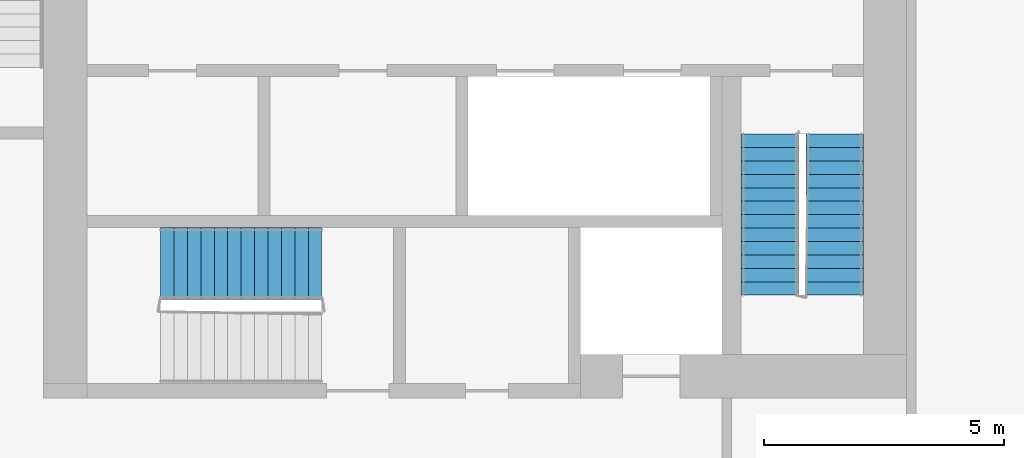
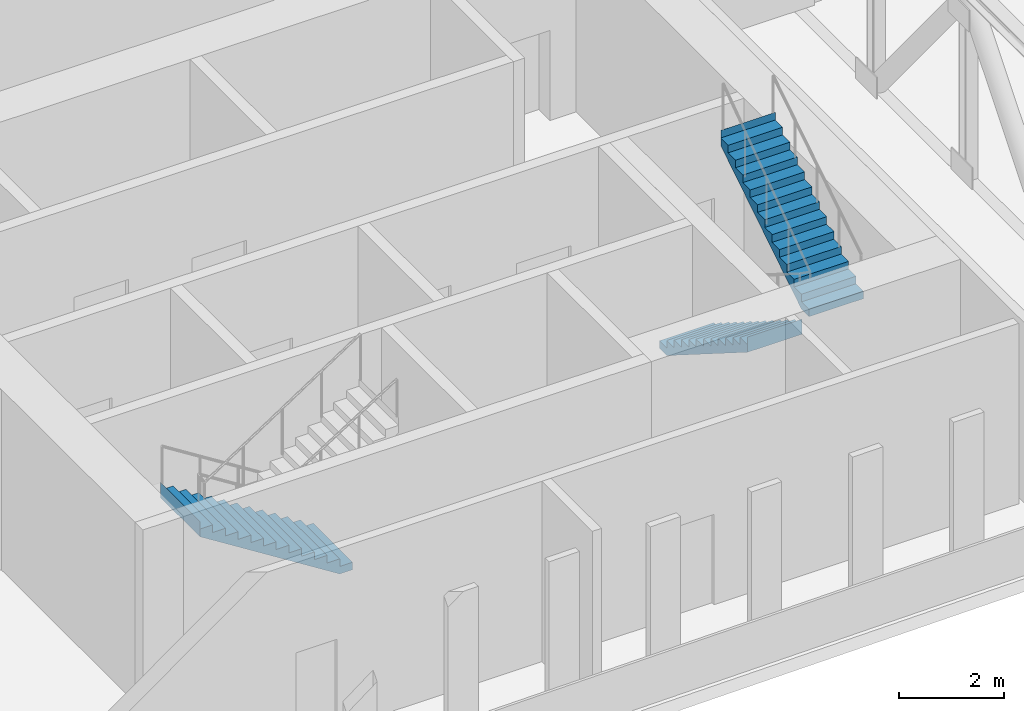
# One storey, part 22 of 26: 3 stair flights, 2 elements without a shape of their own.
"""IFC4 building model written with IfcOpenShell, lengths in metres."""

from ifc_helpers import new_model, si_unit, direction, frame, origin, place, context, subcontext, project, spatial, faceted_brep, material, type_object, element, aggregate, save


model = new_model("IFC4")

# Units and contexts
model_context = context("Model", 3, precision=1e-05, world=origin(), true_north=direction((0.0, 1.0)))
body_context = subcontext(model_context, "Body", "Model", "MODEL_VIEW")
ifc_project = project(units=[si_unit("LENGTHUNIT", "METRE"), si_unit("AREAUNIT", "SQUARE_METRE"), si_unit("VOLUMEUNIT", "CUBIC_METRE"), si_unit("PLANEANGLEUNIT", "RADIAN"), si_unit("MASSUNIT", "GRAM", prefix="KILO")], contexts=[model_context])

# Site, building, storey
site_placement = place(None, origin())
site = spatial("IfcSite", under=ifc_project, at=site_placement, CompositionType="ELEMENT")
building_placement = place(site_placement, origin())
building = spatial("IfcBuilding", under=site, at=building_placement, Name="Kajstack Hotel Tower", CompositionType="ELEMENT")
storey_placement = place(building_placement, frame((0.0, 0.0, 257.300048828125)))
storey = spatial("IfcBuildingStorey", under=building, at=storey_placement, Name="L64", CompositionType="ELEMENT", Elevation=257.300048828125)

# Stair, stair flights
ifc_material = material(Name="Concrete C40/50", Category="concrete")
stair_type_1 = type_object("IfcStairType", Name="Exit stair 1200", PredefinedType="HALF_TURN_STAIR", material=ifc_material)
stair_1_placement = place(storey_placement, origin())
stair_1 = element("IfcStair", 1, at=stair_1_placement, inside=storey, type_object=stair_type_1, Name="L64 stair W2", PredefinedType="HALF_TURN_STAIR")
stair_flight_type_1 = type_object("IfcStairFlightType", Name="Exit stair flight 1200", PredefinedType="STRAIGHT", material=ifc_material)
stair_flight_1_placement = place(storey_placement, frame((-16.35009765625, -10.0, 0.0), z_axis=(0.0, 0.0, 1.0), x_axis=(0.0, -1.0, 0.0)))
stair_flight_1 = element("IfcStairFlight", 2, at=stair_flight_1_placement, type_object=stair_flight_type_1, Name="W2 flight 1", NumberOfRisers=13, NumberOfTreads=12, PredefinedType="STRAIGHT", RiserHeight=0.176923077, TreadLength=0.28, context=body_context, shape_type="Brep", body=[
    faceted_brep([(0.281005859375, -0.60009765625, 0.0), (3.360595703125, -0.60009765625, 1.94580078125), (3.360595703125, -0.60009765625, 2.300048828125), (3.360107421875, -0.60009765625, 2.300048828125), (3.360107421875, -0.60009765625, 2.123046875), (3.080078125, -0.60009765625, 2.123046875), (3.080078125, -0.60009765625, 1.946044921875), (2.800048828125, -0.60009765625, 1.946044921875), (2.800048828125, -0.60009765625, 1.769287109375), (2.52001953125, -0.60009765625, 1.769287109375), (2.52001953125, -0.60009765625, 1.59228515625), (2.239990234375, -0.60009765625, 1.59228515625), (2.239990234375, -0.60009765625, 1.415283203125), (1.9599609375, -0.60009765625, 1.415283203125), (1.9599609375, -0.60009765625, 1.238525390625), (1.679931640625, -0.60009765625, 1.238525390625), (1.679931640625, -0.60009765625, 1.0615234375), (1.39990234375, -0.60009765625, 1.0615234375), (1.39990234375, -0.60009765625, 0.884521484375), (1.1201171875, -0.60009765625, 0.884521484375), (1.1201171875, -0.60009765625, 0.707763671875), (0.840087890625, -0.60009765625, 0.707763671875), (0.840087890625, -0.60009765625, 0.53076171875), (0.56005859375, -0.60009765625, 0.53076171875), (0.56005859375, -0.60009765625, 0.353759765625), (0.280029296875, -0.60009765625, 0.353759765625), (0.280029296875, -0.60009765625, 0.177001953125), (-0.00048828125, -0.60009765625, 0.177001953125), (-0.00048828125, -0.60009765625, 0.0), (-0.00048828125, 0.60009765625, 0.0), (-0.00048828125, 0.60009765625, 0.177001953125), (0.280029296875, 0.60009765625, 0.177001953125), (0.280029296875, 0.60009765625, 0.353759765625), (0.56005859375, 0.60009765625, 0.353759765625), (0.56005859375, 0.60009765625, 0.53076171875), (0.840087890625, 0.60009765625, 0.53076171875), (0.840087890625, 0.60009765625, 0.707763671875), (1.1201171875, 0.60009765625, 0.707763671875), (1.1201171875, 0.60009765625, 0.884521484375), (1.39990234375, 0.60009765625, 0.884521484375), (1.39990234375, 0.60009765625, 1.0615234375), (1.679931640625, 0.60009765625, 1.0615234375), (1.679931640625, 0.60009765625, 1.238525390625), (1.9599609375, 0.60009765625, 1.238525390625), (1.9599609375, 0.60009765625, 1.415283203125), (2.239990234375, 0.60009765625, 1.415283203125), (2.239990234375, 0.60009765625, 1.59228515625), (2.52001953125, 0.60009765625, 1.59228515625), (2.52001953125, 0.60009765625, 1.769287109375), (2.800048828125, 0.60009765625, 1.769287109375), (2.800048828125, 0.60009765625, 1.946044921875), (3.080078125, 0.60009765625, 1.946044921875), (3.080078125, 0.60009765625, 2.123046875), (3.360107421875, 0.60009765625, 2.123046875), (3.360107421875, 0.60009765625, 2.300048828125), (3.360595703125, 0.60009765625, 2.300048828125), (3.360595703125, 0.60009765625, 1.94580078125), (0.281005859375, 0.60009765625, 0.0), (-0.00048828125, -0.300048828125, 0.177001953125), (-0.00048828125, 0.0, 0.177001953125), (-0.00048828125, 0.300048828125, 0.177001953125), (-0.00048828125, 0.300048828125, 0.0), (-0.00048828125, 0.0, 0.0), (-0.00048828125, -0.300048828125, 0.0), (0.280029296875, -0.300048828125, 0.177001953125), (0.280029296875, 0.0, 0.177001953125), (0.280029296875, 0.300048828125, 0.177001953125), (0.280029296875, -0.300048828125, 0.353759765625), (0.280029296875, 0.0, 0.353759765625), (0.280029296875, 0.300048828125, 0.353759765625), (0.56005859375, -0.300048828125, 0.353759765625), (0.56005859375, 0.0, 0.353759765625), (0.56005859375, 0.300048828125, 0.353759765625), (0.56005859375, -0.300048828125, 0.53076171875), (0.56005859375, 0.0, 0.53076171875), (0.56005859375, 0.300048828125, 0.53076171875), (0.840087890625, -0.300048828125, 0.53076171875), (0.840087890625, 0.0, 0.53076171875), (0.840087890625, 0.300048828125, 0.53076171875), (0.840087890625, -0.300048828125, 0.707763671875), (0.840087890625, 0.0, 0.707763671875), (0.840087890625, 0.300048828125, 0.707763671875), (1.1201171875, -0.300048828125, 0.707763671875), (1.1201171875, 0.0, 0.707763671875), (1.1201171875, 0.300048828125, 0.707763671875), (1.1201171875, -0.300048828125, 0.884521484375), (1.1201171875, 0.0, 0.884521484375), (1.1201171875, 0.300048828125, 0.884521484375), (1.39990234375, -0.300048828125, 0.884521484375), (1.39990234375, 0.0, 0.884521484375), (1.39990234375, 0.300048828125, 0.884521484375), (1.39990234375, -0.300048828125, 1.0615234375), (1.39990234375, 0.0, 1.0615234375), (1.39990234375, 0.300048828125, 1.0615234375), (1.679931640625, -0.300048828125, 1.0615234375), (1.679931640625, 0.0, 1.0615234375), (1.679931640625, 0.300048828125, 1.0615234375), (1.679931640625, -0.300048828125, 1.238525390625), (1.679931640625, 0.0, 1.238525390625), (1.679931640625, 0.300048828125, 1.238525390625), (1.9599609375, -0.300048828125, 1.238525390625), (1.9599609375, 0.0, 1.238525390625), (1.9599609375, 0.300048828125, 1.238525390625), (1.9599609375, -0.300048828125, 1.415283203125), (1.9599609375, 0.0, 1.415283203125), (1.9599609375, 0.300048828125, 1.415283203125), (2.239990234375, -0.300048828125, 1.415283203125), (2.239990234375, 0.0, 1.415283203125), (2.239990234375, 0.300048828125, 1.415283203125), (2.239990234375, -0.300048828125, 1.59228515625), (2.239990234375, 0.0, 1.59228515625), (2.239990234375, 0.300048828125, 1.59228515625), (2.52001953125, -0.300048828125, 1.59228515625), (2.52001953125, 0.0, 1.59228515625), (2.52001953125, 0.300048828125, 1.59228515625), (2.52001953125, -0.300048828125, 1.769287109375), (2.52001953125, 0.0, 1.769287109375), (2.52001953125, 0.300048828125, 1.769287109375), (2.800048828125, -0.300048828125, 1.769287109375), (2.800048828125, 0.0, 1.769287109375), (2.800048828125, 0.300048828125, 1.769287109375), (2.800048828125, -0.300048828125, 1.946044921875), (2.800048828125, 0.0, 1.946044921875), (2.800048828125, 0.300048828125, 1.946044921875), (3.080078125, -0.300048828125, 1.946044921875), (3.080078125, 0.0, 1.946044921875), (3.080078125, 0.300048828125, 1.946044921875), (3.080078125, -0.300048828125, 2.123046875), (3.080078125, 0.0, 2.123046875), (3.080078125, 0.300048828125, 2.123046875), (3.360107421875, -0.300048828125, 2.123046875), (3.360107421875, 0.0, 2.123046875), (3.360107421875, 0.300048828125, 2.123046875), (3.360107421875, -0.300048828125, 2.300048828125), (3.360107421875, 0.0, 2.300048828125), (3.360107421875, 0.300048828125, 2.300048828125), (3.360595703125, -0.300048828125, 2.300048828125), (3.360595703125, 0.0, 2.300048828125), (3.360595703125, 0.300048828125, 2.300048828125), (3.360595703125, -0.300048828125, 1.94580078125), (3.360595703125, 0.0, 1.94580078125), (3.360595703125, 0.300048828125, 1.94580078125), (0.281005859375, -0.300048828125, 0.0), (0.281005859375, 0.0, 0.0), (0.281005859375, 0.300048828125, 0.0)], [[[0, 1, 2, 3, 4, 5, 6, 7, 8, 9, 10, 11, 12, 13, 14, 15, 16, 17, 18, 19, 20, 21, 22, 23, 24, 25, 26, 27, 28]], [[29, 30, 31, 32, 33, 34, 35, 36, 37, 38, 39, 40, 41, 42, 43, 44, 45, 46, 47, 48, 49, 50, 51, 52, 53, 54, 55, 56, 57]], [[27, 58, 59, 60, 30, 29, 61, 62, 63, 28]], [[26, 64, 65, 66, 31, 30, 60, 59, 58, 27]], [[25, 67, 68, 69, 32, 31, 66, 65, 64, 26]], [[24, 70, 71, 72, 33, 32, 69, 68, 67, 25]], [[23, 73, 74, 75, 34, 33, 72, 71, 70, 24]], [[22, 76, 77, 78, 35, 34, 75, 74, 73, 23]], [[21, 79, 80, 81, 36, 35, 78, 77, 76, 22]], [[20, 82, 83, 84, 37, 36, 81, 80, 79, 21]], [[19, 85, 86, 87, 38, 37, 84, 83, 82, 20]], [[18, 88, 89, 90, 39, 38, 87, 86, 85, 19]], [[17, 91, 92, 93, 40, 39, 90, 89, 88, 18]], [[16, 94, 95, 96, 41, 40, 93, 92, 91, 17]], [[15, 97, 98, 99, 42, 41, 96, 95, 94, 16]], [[14, 100, 101, 102, 43, 42, 99, 98, 97, 15]], [[13, 103, 104, 105, 44, 43, 102, 101, 100, 14]], [[12, 106, 107, 108, 45, 44, 105, 104, 103, 13]], [[11, 109, 110, 111, 46, 45, 108, 107, 106, 12]], [[10, 112, 113, 114, 47, 46, 111, 110, 109, 11]], [[9, 115, 116, 117, 48, 47, 114, 113, 112, 10]], [[8, 118, 119, 120, 49, 48, 117, 116, 115, 9]], [[7, 121, 122, 123, 50, 49, 120, 119, 118, 8]], [[6, 124, 125, 126, 51, 50, 123, 122, 121, 7]], [[5, 127, 128, 129, 52, 51, 126, 125, 124, 6]], [[4, 130, 131, 132, 53, 52, 129, 128, 127, 5]], [[3, 133, 134, 135, 54, 53, 132, 131, 130, 4]], [[2, 136, 137, 138, 55, 54, 135, 134, 133, 3]], [[1, 139, 140, 141, 56, 55, 138, 137, 136, 2]], [[0, 142, 143, 144, 57, 56, 141, 140, 139, 1]], [[28, 63, 62, 61, 29, 57, 144, 143, 142, 0]]]),
])
stair_flight_2_placement = place(storey_placement, frame((-15.0, -13.360107421875, 2.300048828125), z_axis=(0.0, 0.0, 1.0), x_axis=(0.0, 1.0, 0.0)))
stair_flight_2 = element("IfcStairFlight", 3, at=stair_flight_2_placement, type_object=stair_flight_type_1, Name="W2 flight 2", NumberOfRisers=13, NumberOfTreads=12, PredefinedType="STRAIGHT", RiserHeight=0.176923077, TreadLength=0.28, context=body_context, shape_type="Brep", body=[
    faceted_brep([(0.281005859375, -0.60009765625, 0.0), (3.360595703125, -0.60009765625, 1.94580078125), (3.360595703125, -0.60009765625, 2.300048828125), (3.360107421875, -0.60009765625, 2.300048828125), (3.360107421875, -0.60009765625, 2.123046875), (3.080078125, -0.60009765625, 2.123046875), (3.080078125, -0.60009765625, 1.946044921875), (2.800048828125, -0.60009765625, 1.946044921875), (2.800048828125, -0.60009765625, 1.769287109375), (2.52001953125, -0.60009765625, 1.769287109375), (2.52001953125, -0.60009765625, 1.59228515625), (2.239990234375, -0.60009765625, 1.59228515625), (2.239990234375, -0.60009765625, 1.415283203125), (1.9599609375, -0.60009765625, 1.415283203125), (1.9599609375, -0.60009765625, 1.238525390625), (1.679931640625, -0.60009765625, 1.238525390625), (1.679931640625, -0.60009765625, 1.0615234375), (1.39990234375, -0.60009765625, 1.0615234375), (1.39990234375, -0.60009765625, 0.884521484375), (1.1201171875, -0.60009765625, 0.884521484375), (1.1201171875, -0.60009765625, 0.707763671875), (0.840087890625, -0.60009765625, 0.707763671875), (0.840087890625, -0.60009765625, 0.53076171875), (0.56005859375, -0.60009765625, 0.53076171875), (0.56005859375, -0.60009765625, 0.353759765625), (0.280029296875, -0.60009765625, 0.353759765625), (0.280029296875, -0.60009765625, 0.177001953125), (-0.00048828125, -0.60009765625, 0.177001953125), (-0.00048828125, -0.60009765625, 0.0), (-0.00048828125, 0.60009765625, 0.0), (-0.00048828125, 0.60009765625, 0.177001953125), (0.280029296875, 0.60009765625, 0.177001953125), (0.280029296875, 0.60009765625, 0.353759765625), (0.56005859375, 0.60009765625, 0.353759765625), (0.56005859375, 0.60009765625, 0.53076171875), (0.840087890625, 0.60009765625, 0.53076171875), (0.840087890625, 0.60009765625, 0.707763671875), (1.1201171875, 0.60009765625, 0.707763671875), (1.1201171875, 0.60009765625, 0.884521484375), (1.39990234375, 0.60009765625, 0.884521484375), (1.39990234375, 0.60009765625, 1.0615234375), (1.679931640625, 0.60009765625, 1.0615234375), (1.679931640625, 0.60009765625, 1.238525390625), (1.9599609375, 0.60009765625, 1.238525390625), (1.9599609375, 0.60009765625, 1.415283203125), (2.239990234375, 0.60009765625, 1.415283203125), (2.239990234375, 0.60009765625, 1.59228515625), (2.52001953125, 0.60009765625, 1.59228515625), (2.52001953125, 0.60009765625, 1.769287109375), (2.800048828125, 0.60009765625, 1.769287109375), (2.800048828125, 0.60009765625, 1.946044921875), (3.080078125, 0.60009765625, 1.946044921875), (3.080078125, 0.60009765625, 2.123046875), (3.360107421875, 0.60009765625, 2.123046875), (3.360107421875, 0.60009765625, 2.300048828125), (3.360595703125, 0.60009765625, 2.300048828125), (3.360595703125, 0.60009765625, 1.94580078125), (0.281005859375, 0.60009765625, 0.0), (-0.00048828125, -0.300048828125, 0.177001953125), (-0.00048828125, 0.0, 0.177001953125), (-0.00048828125, 0.300048828125, 0.177001953125), (-0.00048828125, 0.300048828125, 0.0), (-0.00048828125, 0.0, 0.0), (-0.00048828125, -0.300048828125, 0.0), (0.280029296875, -0.300048828125, 0.177001953125), (0.280029296875, 0.0, 0.177001953125), (0.280029296875, 0.300048828125, 0.177001953125), (0.280029296875, -0.300048828125, 0.353759765625), (0.280029296875, 0.0, 0.353759765625), (0.280029296875, 0.300048828125, 0.353759765625), (0.56005859375, -0.300048828125, 0.353759765625), (0.56005859375, 0.0, 0.353759765625), (0.56005859375, 0.300048828125, 0.353759765625), (0.56005859375, -0.300048828125, 0.53076171875), (0.56005859375, 0.0, 0.53076171875), (0.56005859375, 0.300048828125, 0.53076171875), (0.840087890625, -0.300048828125, 0.53076171875), (0.840087890625, 0.0, 0.53076171875), (0.840087890625, 0.300048828125, 0.53076171875), (0.840087890625, -0.300048828125, 0.707763671875), (0.840087890625, 0.0, 0.707763671875), (0.840087890625, 0.300048828125, 0.707763671875), (1.1201171875, -0.300048828125, 0.707763671875), (1.1201171875, 0.0, 0.707763671875), (1.1201171875, 0.300048828125, 0.707763671875), (1.1201171875, -0.300048828125, 0.884521484375), (1.1201171875, 0.0, 0.884521484375), (1.1201171875, 0.300048828125, 0.884521484375), (1.39990234375, -0.300048828125, 0.884521484375), (1.39990234375, 0.0, 0.884521484375), (1.39990234375, 0.300048828125, 0.884521484375), (1.39990234375, -0.300048828125, 1.0615234375), (1.39990234375, 0.0, 1.0615234375), (1.39990234375, 0.300048828125, 1.0615234375), (1.679931640625, -0.300048828125, 1.0615234375), (1.679931640625, 0.0, 1.0615234375), (1.679931640625, 0.300048828125, 1.0615234375), (1.679931640625, -0.300048828125, 1.238525390625), (1.679931640625, 0.0, 1.238525390625), (1.679931640625, 0.300048828125, 1.238525390625), (1.9599609375, -0.300048828125, 1.238525390625), (1.9599609375, 0.0, 1.238525390625), (1.9599609375, 0.300048828125, 1.238525390625), (1.9599609375, -0.300048828125, 1.415283203125), (1.9599609375, 0.0, 1.415283203125), (1.9599609375, 0.300048828125, 1.415283203125), (2.239990234375, -0.300048828125, 1.415283203125), (2.239990234375, 0.0, 1.415283203125), (2.239990234375, 0.300048828125, 1.415283203125), (2.239990234375, -0.300048828125, 1.59228515625), (2.239990234375, 0.0, 1.59228515625), (2.239990234375, 0.300048828125, 1.59228515625), (2.52001953125, -0.300048828125, 1.59228515625), (2.52001953125, 0.0, 1.59228515625), (2.52001953125, 0.300048828125, 1.59228515625), (2.52001953125, -0.300048828125, 1.769287109375), (2.52001953125, 0.0, 1.769287109375), (2.52001953125, 0.300048828125, 1.769287109375), (2.800048828125, -0.300048828125, 1.769287109375), (2.800048828125, 0.0, 1.769287109375), (2.800048828125, 0.300048828125, 1.769287109375), (2.800048828125, -0.300048828125, 1.946044921875), (2.800048828125, 0.0, 1.946044921875), (2.800048828125, 0.300048828125, 1.946044921875), (3.080078125, -0.300048828125, 1.946044921875), (3.080078125, 0.0, 1.946044921875), (3.080078125, 0.300048828125, 1.946044921875), (3.080078125, -0.300048828125, 2.123046875), (3.080078125, 0.0, 2.123046875), (3.080078125, 0.300048828125, 2.123046875), (3.360107421875, -0.300048828125, 2.123046875), (3.360107421875, 0.0, 2.123046875), (3.360107421875, 0.300048828125, 2.123046875), (3.360107421875, -0.300048828125, 2.300048828125), (3.360107421875, 0.0, 2.300048828125), (3.360107421875, 0.300048828125, 2.300048828125), (3.360595703125, -0.300048828125, 2.300048828125), (3.360595703125, 0.0, 2.300048828125), (3.360595703125, 0.300048828125, 2.300048828125), (3.360595703125, -0.300048828125, 1.94580078125), (3.360595703125, 0.0, 1.94580078125), (3.360595703125, 0.300048828125, 1.94580078125), (0.281005859375, -0.300048828125, 0.0), (0.281005859375, 0.0, 0.0), (0.281005859375, 0.300048828125, 0.0)], [[[0, 1, 2, 3, 4, 5, 6, 7, 8, 9, 10, 11, 12, 13, 14, 15, 16, 17, 18, 19, 20, 21, 22, 23, 24, 25, 26, 27, 28]], [[29, 30, 31, 32, 33, 34, 35, 36, 37, 38, 39, 40, 41, 42, 43, 44, 45, 46, 47, 48, 49, 50, 51, 52, 53, 54, 55, 56, 57]], [[27, 58, 59, 60, 30, 29, 61, 62, 63, 28]], [[26, 64, 65, 66, 31, 30, 60, 59, 58, 27]], [[25, 67, 68, 69, 32, 31, 66, 65, 64, 26]], [[24, 70, 71, 72, 33, 32, 69, 68, 67, 25]], [[23, 73, 74, 75, 34, 33, 72, 71, 70, 24]], [[22, 76, 77, 78, 35, 34, 75, 74, 73, 23]], [[21, 79, 80, 81, 36, 35, 78, 77, 76, 22]], [[20, 82, 83, 84, 37, 36, 81, 80, 79, 21]], [[19, 85, 86, 87, 38, 37, 84, 83, 82, 20]], [[18, 88, 89, 90, 39, 38, 87, 86, 85, 19]], [[17, 91, 92, 93, 40, 39, 90, 89, 88, 18]], [[16, 94, 95, 96, 41, 40, 93, 92, 91, 17]], [[15, 97, 98, 99, 42, 41, 96, 95, 94, 16]], [[14, 100, 101, 102, 43, 42, 99, 98, 97, 15]], [[13, 103, 104, 105, 44, 43, 102, 101, 100, 14]], [[12, 106, 107, 108, 45, 44, 105, 104, 103, 13]], [[11, 109, 110, 111, 46, 45, 108, 107, 106, 12]], [[10, 112, 113, 114, 47, 46, 111, 110, 109, 11]], [[9, 115, 116, 117, 48, 47, 114, 113, 112, 10]], [[8, 118, 119, 120, 49, 48, 117, 116, 115, 9]], [[7, 121, 122, 123, 50, 49, 120, 119, 118, 8]], [[6, 124, 125, 126, 51, 50, 123, 122, 121, 7]], [[5, 127, 128, 129, 52, 51, 126, 125, 124, 6]], [[4, 130, 131, 132, 53, 52, 129, 128, 127, 5]], [[3, 133, 134, 135, 54, 53, 132, 131, 130, 4]], [[2, 136, 137, 138, 55, 54, 135, 134, 133, 3]], [[1, 139, 140, 141, 56, 55, 138, 137, 136, 2]], [[0, 142, 143, 144, 57, 56, 141, 140, 139, 1]], [[28, 63, 62, 61, 29, 57, 144, 143, 142, 0]]]),
])
aggregate(stair_1, [stair_flight_1, stair_flight_2])

# Stair, stair flight
stair_type_2 = type_object("IfcStairType", Name="Exit stair 1500", PredefinedType="HALF_TURN_STAIR", material=ifc_material)
stair_2_placement = place(storey_placement, origin())
stair_2 = element("IfcStair", 4, at=stair_2_placement, inside=storey, type_object=stair_type_2, Name="L64 stair W3", PredefinedType="HALF_TURN_STAIR")
stair_flight_type_2 = type_object("IfcStairFlightType", Name="Exit stair flight 1500", PredefinedType="STRAIGHT", material=ifc_material)
stair_flight_3_placement = place(storey_placement, frame((-25.699951171875, -12.699951171875, 0.0), z_axis=(0.0, 0.0, 1.0), x_axis=(-1.0, 0.0, 0.0)))
stair_flight_3 = element("IfcStairFlight", 5, at=stair_flight_3_placement, type_object=stair_flight_type_2, Name="W3 flight 1", NumberOfRisers=13, NumberOfTreads=12, PredefinedType="STRAIGHT", RiserHeight=0.176923077, TreadLength=0.28, context=body_context, shape_type="Brep", body=[
    faceted_brep([(0.281005859375, -0.75, 0.0), (3.360595703125, -0.75, 1.94580078125), (3.360595703125, -0.75, 2.300048828125), (3.360107421875, -0.75, 2.300048828125), (3.360107421875, -0.75, 2.123046875), (3.080078125, -0.75, 2.123046875), (3.080078125, -0.75, 1.946044921875), (2.800048828125, -0.75, 1.946044921875), (2.800048828125, -0.75, 1.769287109375), (2.52001953125, -0.75, 1.769287109375), (2.52001953125, -0.75, 1.59228515625), (2.239990234375, -0.75, 1.59228515625), (2.239990234375, -0.75, 1.415283203125), (1.9599609375, -0.75, 1.415283203125), (1.9599609375, -0.75, 1.238525390625), (1.679931640625, -0.75, 1.238525390625), (1.679931640625, -0.75, 1.0615234375), (1.39990234375, -0.75, 1.0615234375), (1.39990234375, -0.75, 0.884521484375), (1.1201171875, -0.75, 0.884521484375), (1.1201171875, -0.75, 0.707763671875), (0.840087890625, -0.75, 0.707763671875), (0.840087890625, -0.75, 0.53076171875), (0.56005859375, -0.75, 0.53076171875), (0.56005859375, -0.75, 0.353759765625), (0.280029296875, -0.75, 0.353759765625), (0.280029296875, -0.75, 0.177001953125), (-0.00048828125, -0.75, 0.177001953125), (-0.00048828125, -0.75, 0.0), (-0.00048828125, 0.75, 0.0), (-0.00048828125, 0.75, 0.177001953125), (0.280029296875, 0.75, 0.177001953125), (0.280029296875, 0.75, 0.353759765625), (0.56005859375, 0.75, 0.353759765625), (0.56005859375, 0.75, 0.53076171875), (0.840087890625, 0.75, 0.53076171875), (0.840087890625, 0.75, 0.707763671875), (1.1201171875, 0.75, 0.707763671875), (1.1201171875, 0.75, 0.884521484375), (1.39990234375, 0.75, 0.884521484375), (1.39990234375, 0.75, 1.0615234375), (1.679931640625, 0.75, 1.0615234375), (1.679931640625, 0.75, 1.238525390625), (1.9599609375, 0.75, 1.238525390625), (1.9599609375, 0.75, 1.415283203125), (2.239990234375, 0.75, 1.415283203125), (2.239990234375, 0.75, 1.59228515625), (2.52001953125, 0.75, 1.59228515625), (2.52001953125, 0.75, 1.769287109375), (2.800048828125, 0.75, 1.769287109375), (2.800048828125, 0.75, 1.946044921875), (3.080078125, 0.75, 1.946044921875), (3.080078125, 0.75, 2.123046875), (3.360107421875, 0.75, 2.123046875), (3.360107421875, 0.75, 2.300048828125), (3.360595703125, 0.75, 2.300048828125), (3.360595703125, 0.75, 1.94580078125), (0.281005859375, 0.75, 0.0), (-0.00048828125, -0.375, 0.177001953125), (-0.00048828125, 0.0, 0.177001953125), (-0.00048828125, 0.375, 0.177001953125), (-0.00048828125, 0.375, 0.0), (-0.00048828125, 0.0, 0.0), (-0.00048828125, -0.375, 0.0), (0.280029296875, -0.375, 0.177001953125), (0.280029296875, 0.0, 0.177001953125), (0.280029296875, 0.375, 0.177001953125), (0.280029296875, -0.375, 0.353759765625), (0.280029296875, 0.0, 0.353759765625), (0.280029296875, 0.375, 0.353759765625), (0.56005859375, -0.375, 0.353759765625), (0.56005859375, 0.0, 0.353759765625), (0.56005859375, 0.375, 0.353759765625), (0.56005859375, -0.375, 0.53076171875), (0.56005859375, 0.0, 0.53076171875), (0.56005859375, 0.375, 0.53076171875), (0.840087890625, -0.375, 0.53076171875), (0.840087890625, 0.0, 0.53076171875), (0.840087890625, 0.375, 0.53076171875), (0.840087890625, -0.375, 0.707763671875), (0.840087890625, 0.0, 0.707763671875), (0.840087890625, 0.375, 0.707763671875), (1.1201171875, -0.375, 0.707763671875), (1.1201171875, 0.0, 0.707763671875), (1.1201171875, 0.375, 0.707763671875), (1.1201171875, -0.375, 0.884521484375), (1.1201171875, 0.0, 0.884521484375), (1.1201171875, 0.375, 0.884521484375), (1.39990234375, -0.375, 0.884521484375), (1.39990234375, 0.0, 0.884521484375), (1.39990234375, 0.375, 0.884521484375), (1.39990234375, -0.375, 1.0615234375), (1.39990234375, 0.0, 1.0615234375), (1.39990234375, 0.375, 1.0615234375), (1.679931640625, -0.375, 1.0615234375), (1.679931640625, 0.0, 1.0615234375), (1.679931640625, 0.375, 1.0615234375), (1.679931640625, -0.375, 1.238525390625), (1.679931640625, 0.0, 1.238525390625), (1.679931640625, 0.375, 1.238525390625), (1.9599609375, -0.375, 1.238525390625), (1.9599609375, 0.0, 1.238525390625), (1.9599609375, 0.375, 1.238525390625), (1.9599609375, -0.375, 1.415283203125), (1.9599609375, 0.0, 1.415283203125), (1.9599609375, 0.375, 1.415283203125), (2.239990234375, -0.375, 1.415283203125), (2.239990234375, 0.0, 1.415283203125), (2.239990234375, 0.375, 1.415283203125), (2.239990234375, -0.375, 1.59228515625), (2.239990234375, 0.0, 1.59228515625), (2.239990234375, 0.375, 1.59228515625), (2.52001953125, -0.375, 1.59228515625), (2.52001953125, 0.0, 1.59228515625), (2.52001953125, 0.375, 1.59228515625), (2.52001953125, -0.375, 1.769287109375), (2.52001953125, 0.0, 1.769287109375), (2.52001953125, 0.375, 1.769287109375), (2.800048828125, -0.375, 1.769287109375), (2.800048828125, 0.0, 1.769287109375), (2.800048828125, 0.375, 1.769287109375), (2.800048828125, -0.375, 1.946044921875), (2.800048828125, 0.0, 1.946044921875), (2.800048828125, 0.375, 1.946044921875), (3.080078125, -0.375, 1.946044921875), (3.080078125, 0.0, 1.946044921875), (3.080078125, 0.375, 1.946044921875), (3.080078125, -0.375, 2.123046875), (3.080078125, 0.0, 2.123046875), (3.080078125, 0.375, 2.123046875), (3.360107421875, -0.375, 2.123046875), (3.360107421875, 0.0, 2.123046875), (3.360107421875, 0.375, 2.123046875), (3.360107421875, -0.375, 2.300048828125), (3.360107421875, 0.0, 2.300048828125), (3.360107421875, 0.375, 2.300048828125), (3.360595703125, -0.375, 2.300048828125), (3.360595703125, 0.0, 2.300048828125), (3.360595703125, 0.375, 2.300048828125), (3.360595703125, -0.375, 1.94580078125), (3.360595703125, 0.0, 1.94580078125), (3.360595703125, 0.375, 1.94580078125), (0.281005859375, -0.375, 0.0), (0.281005859375, 0.0, 0.0), (0.281005859375, 0.375, 0.0)], [[[0, 1, 2, 3, 4, 5, 6, 7, 8, 9, 10, 11, 12, 13, 14, 15, 16, 17, 18, 19, 20, 21, 22, 23, 24, 25, 26, 27, 28]], [[29, 30, 31, 32, 33, 34, 35, 36, 37, 38, 39, 40, 41, 42, 43, 44, 45, 46, 47, 48, 49, 50, 51, 52, 53, 54, 55, 56, 57]], [[27, 58, 59, 60, 30, 29, 61, 62, 63, 28]], [[26, 64, 65, 66, 31, 30, 60, 59, 58, 27]], [[25, 67, 68, 69, 32, 31, 66, 65, 64, 26]], [[24, 70, 71, 72, 33, 32, 69, 68, 67, 25]], [[23, 73, 74, 75, 34, 33, 72, 71, 70, 24]], [[22, 76, 77, 78, 35, 34, 75, 74, 73, 23]], [[21, 79, 80, 81, 36, 35, 78, 77, 76, 22]], [[20, 82, 83, 84, 37, 36, 81, 80, 79, 21]], [[19, 85, 86, 87, 38, 37, 84, 83, 82, 20]], [[18, 88, 89, 90, 39, 38, 87, 86, 85, 19]], [[17, 91, 92, 93, 40, 39, 90, 89, 88, 18]], [[16, 94, 95, 96, 41, 40, 93, 92, 91, 17]], [[15, 97, 98, 99, 42, 41, 96, 95, 94, 16]], [[14, 100, 101, 102, 43, 42, 99, 98, 97, 15]], [[13, 103, 104, 105, 44, 43, 102, 101, 100, 14]], [[12, 106, 107, 108, 45, 44, 105, 104, 103, 13]], [[11, 109, 110, 111, 46, 45, 108, 107, 106, 12]], [[10, 112, 113, 114, 47, 46, 111, 110, 109, 11]], [[9, 115, 116, 117, 48, 47, 114, 113, 112, 10]], [[8, 118, 119, 120, 49, 48, 117, 116, 115, 9]], [[7, 121, 122, 123, 50, 49, 120, 119, 118, 8]], [[6, 124, 125, 126, 51, 50, 123, 122, 121, 7]], [[5, 127, 128, 129, 52, 51, 126, 125, 124, 6]], [[4, 130, 131, 132, 53, 52, 129, 128, 127, 5]], [[3, 133, 134, 135, 54, 53, 132, 131, 130, 4]], [[2, 136, 137, 138, 55, 54, 135, 134, 133, 3]], [[1, 139, 140, 141, 56, 55, 138, 137, 136, 2]], [[0, 142, 143, 144, 57, 56, 141, 140, 139, 1]], [[28, 63, 62, 61, 29, 57, 144, 143, 142, 0]]]),
])
aggregate(stair_2, [stair_flight_3])

save(model, "model.ifc")
